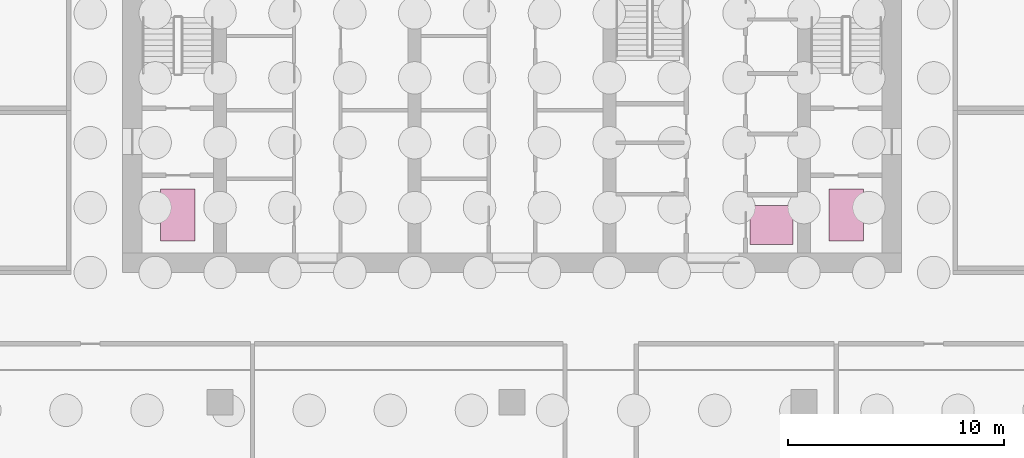
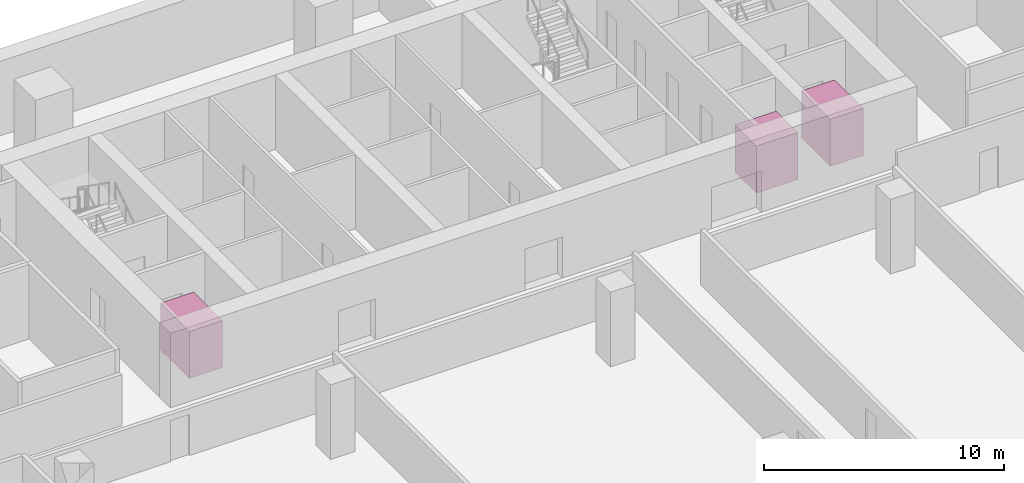
# One storey, part 10 of 10: 3 transport elements.
"""IFC4 building model written with IfcOpenShell, lengths in metres."""

from ifc_helpers import new_model, si_unit, direction, frame, origin, origin_2d, place, context, subcontext, project, spatial, rectangle, extrude, material, type_object, element, save


model = new_model("IFC4")

# Units and contexts
model_context = context("Model", 3, precision=1e-05, world=origin(), true_north=direction((0.0, 1.0)))
body_context = subcontext(model_context, "Body", "Model", "MODEL_VIEW")
ifc_project = project(units=[si_unit("LENGTHUNIT", "METRE"), si_unit("AREAUNIT", "SQUARE_METRE"), si_unit("VOLUMEUNIT", "CUBIC_METRE"), si_unit("PLANEANGLEUNIT", "RADIAN"), si_unit("MASSUNIT", "GRAM", prefix="KILO")], contexts=[model_context])

# Site, building, storey
site_placement = place(None, origin())
site = spatial("IfcSite", under=ifc_project, at=site_placement, CompositionType="ELEMENT")
building_placement = place(site_placement, origin())
building = spatial("IfcBuilding", under=site, at=building_placement, Name="Rattan Terrace Tower", CompositionType="ELEMENT")
storey_placement = place(building_placement, frame((0.0, 0.0, -13.5)))
storey = spatial("IfcBuildingStorey", under=building, at=storey_placement, Name="B3", CompositionType="ELEMENT", Elevation=-13.5)

# Transport elements
ifc_material_1 = material(Name="Stainless steel lift car", Category="steel")
transport_element_type_1 = type_object("IfcTransportElementType", Name="Core lift car fire-fighting", PredefinedType="ELEVATOR", material=ifc_material_1)
for number, where, z_axis, x_axis, name in (
    (1, (-15.449951171875, -4.85009765625, 0.0), (0.0, 0.0, 1.0), (1.0, 0.0, 0.0), "Lift FF1 car"),
    (2, (15.449951171875, -4.85009765625, 0.0), (0.0, 0.0, 1.0), (1.0, 0.0, 0.0), "Lift FF2 car"),
):
    element("IfcTransportElement", number, at=place(storey_placement, frame(where, z_axis=z_axis, x_axis=x_axis)), inside=storey, type_object=transport_element_type_1, Name=name, PredefinedType="ELEVATOR", context=body_context, shape_type="SweptSolid", body=[
        extrude(rectangle(XDim=1.60009765625, YDim=2.39990234375, at=origin_2d()), origin(), (0.0, 0.0, 1.0), 2.39990234375),
    ])
ifc_material_2 = material(Name="Stainless steel lift car", Category="steel")
transport_element_type_2 = type_object("IfcTransportElementType", Name="Core lift car goods", PredefinedType="ELEVATOR", material=ifc_material_2)
transport_element_placement = place(storey_placement, frame((12.0, -5.300048828125, 0.0), z_axis=(0.0, 0.0, 1.0), x_axis=(1.0, 0.0, 0.0)))
element("IfcTransportElement", 3, at=transport_element_placement, inside=storey, type_object=transport_element_type_2, Name="Lift SV1 car", PredefinedType="ELEVATOR", context=body_context, shape_type="SweptSolid", body=[
    extrude(rectangle(XDim=2.0, YDim=1.800048828125, at=origin_2d()), origin(), (0.0, 0.0, 1.0), 2.39990234375),
])

save(model, "model.ifc")
